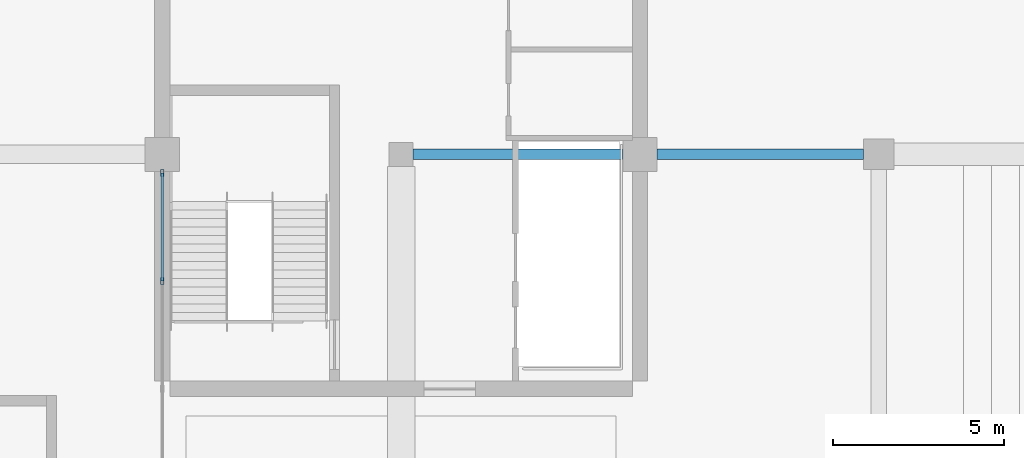
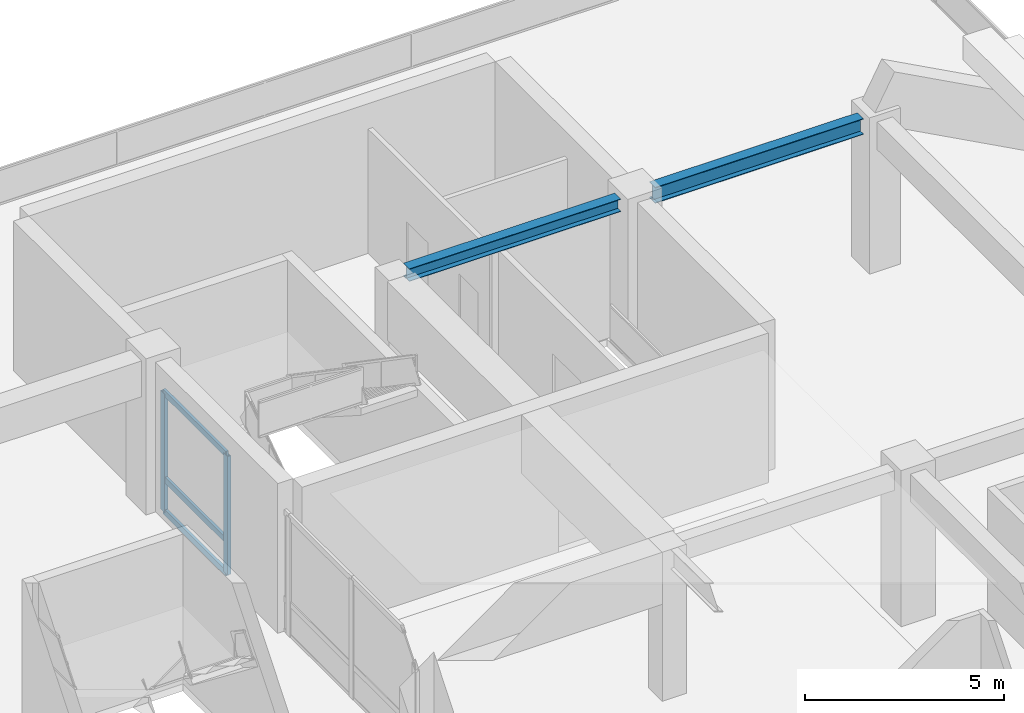
# One storey, part 43 of 94: 5 members, 2 beams, 1 element without a shape of its own.
"""IFC4 building model written with IfcOpenShell, lengths in metres."""

import ifcopenshell
import ifcopenshell.guid

model = None  # the IFC model being written
_history = None  # IfcOwnerHistory: only IFC2X3 demands one
_inside = {}  # id of a spatial element -> (the spatial element, [elements in it])
_under = {}  # id of a project, library or spatial element -> (it, [spatial elements below it])
_declared = {}  # id of a project -> (the project, [libraries it declares])
_typed = {}  # id of a type object -> (the type object, [elements of that type])
_made_of = {}  # id of a material, layer set ... -> (it, [elements and type objects made of it])


def new_model(schema):
    """Start an empty IFC model of exactly this schema.

    Asked for "IFC4X3", IfcOpenShell would pick the latest addendum, in which some entities
    have other attributes; the version numbers below select the first issue.
    IFC2X3 requires an IfcOwnerHistory on every rooted entity: one is made here for all.
    """
    global model, _history
    if schema == "IFC4X3":
        model = ifcopenshell.file(schema_version=(4, 3, 0, 0))
    else:
        model = ifcopenshell.file(schema=schema)
    _inside.clear()
    _under.clear()
    _declared.clear()
    _typed.clear()
    _made_of.clear()
    _history = None
    if model.schema == "IFC2X3":
        org = make("IfcOrganization", Name="unknown")
        user = make(
            "IfcPersonAndOrganization",
            ThePerson=make("IfcPerson", FamilyName="unknown"),
            TheOrganization=org,
        )
        app = make(
            "IfcApplication",
            ApplicationDeveloper=org,
            Version="unknown",
            ApplicationFullName="unknown",
            ApplicationIdentifier="unknown",
        )
        _history = make(
            "IfcOwnerHistory",
            OwningUser=user,
            OwningApplication=app,
            ChangeAction="ADDED",
            CreationDate=0,
        )
    return model


def make(cls, **values):
    """One entity of the class cls with the attributes given. An attribute that is None is left unset."""
    return model.create_entity(
        cls, **{name: value for name, value in values.items() if value is not None}
    )


def rooted(cls, **values):
    """An entity with a GlobalId (a new one), such as an element, a storey or a relation."""
    return make(cls, GlobalId=ifcopenshell.guid.new(), OwnerHistory=_history, **values)


def si_unit(unit_type, name, prefix=None):
    """IfcSIUnit, for example si_unit("LENGTHUNIT", "METRE", prefix="MILLI")."""
    return make("IfcSIUnit", UnitType=unit_type, Prefix=prefix, Name=name)


def assignment(units):
    """IfcUnitAssignment: the units of a project."""
    return None if units is None else make("IfcUnitAssignment", Units=units)


def point(xyz):
    """IfcCartesianPoint."""
    return None if xyz is None else make("IfcCartesianPoint", Coordinates=xyz)


def direction(xyz):
    """IfcDirection."""
    return None if xyz is None else make("IfcDirection", DirectionRatios=xyz)


def frame(location, z_axis=None, x_axis=None):
    """IfcAxis2Placement3D, a coordinate frame: its origin and axes. An axis left out is left unset."""
    return make(
        "IfcAxis2Placement3D",
        Location=point(location),
        Axis=direction(z_axis),
        RefDirection=direction(x_axis),
    )


def frame_2d(location, x_axis=None):
    """IfcAxis2Placement2D, a coordinate frame in the plane: its origin and x axis."""
    return make(
        "IfcAxis2Placement2D", Location=point(location), RefDirection=direction(x_axis)
    )


def origin():
    """The frame at (0, 0, 0) with its axes left unset."""
    return frame((0.0, 0.0, 0.0))


def origin_2d():
    """The frame at (0, 0) in the plane with its x axis left unset."""
    return frame_2d((0.0, 0.0))


def place(relative_to, where):
    """IfcLocalPlacement: puts the frame where relative to a parent placement (None: the world)."""
    return make(
        "IfcLocalPlacement", PlacementRelTo=relative_to, RelativePlacement=where
    )


def context(
    kind, dimensions, precision=None, world=None, true_north=None, identifier=None
):
    """IfcGeometricRepresentationContext, for example the 3D "Model" context."""
    return make(
        "IfcGeometricRepresentationContext",
        ContextIdentifier=identifier,
        ContextType=kind,
        CoordinateSpaceDimension=dimensions,
        Precision=precision,
        WorldCoordinateSystem=world,
        TrueNorth=true_north,
    )


def subcontext(parent, identifier, kind, view, scale=None):
    """IfcGeometricRepresentationSubContext, for example "Body" below "Model"."""
    return make(
        "IfcGeometricRepresentationSubContext",
        ContextIdentifier=identifier,
        ContextType=kind,
        ParentContext=parent,
        TargetScale=scale,
        TargetView=view,
    )


def project(units=None, contexts=None):
    """IfcProject with its units and contexts."""
    return rooted(
        "IfcProject",
        Name="project",
        RepresentationContexts=contexts,
        UnitsInContext=assignment(units),
    )


def spatial(cls, under=None, at=None, **own):
    """A site, building, storey or space (cls), placed at a placement, below another one or the project."""
    s = rooted(cls, ObjectPlacement=at, **own)
    if under is not None:
        _under.setdefault(under.id(), (under, []))[1].append(s)
    return s


def profile(cls, at=None, kind="AREA", **sizes):
    """A parametric profile (cls). Its sizes go by their IFC names, for example OverallWidth=200.0."""
    return make(cls, ProfileType=kind, Position=at, **sizes)


def hollow_rectangle(**sizes):
    """IfcRectangleHollowProfileDef."""
    return profile("IfcRectangleHollowProfileDef", **sizes)


def i_section(**sizes):
    """IfcIShapeProfileDef."""
    return profile("IfcIShapeProfileDef", **sizes)


def extrude(swept, where, along, depth):
    """IfcExtrudedAreaSolid: the profile swept, set in the frame where, extruded along a direction by depth."""
    return make(
        "IfcExtrudedAreaSolid",
        SweptArea=swept,
        Position=where,
        ExtrudedDirection=direction(along),
        Depth=depth,
    )


def shape(context_of_items, identifier, shape_type, items):
    """IfcShapeRepresentation: the items that make up one representation, for example the "Body"."""
    return make(
        "IfcShapeRepresentation",
        ContextOfItems=context_of_items,
        RepresentationIdentifier=identifier,
        RepresentationType=shape_type,
        Items=items,
    )


def material(Name=None, Category=None):
    """IfcMaterial."""
    return make("IfcMaterial", Name=Name, Category=Category)


def material_profile(
    of_material, cross_section, Name=None, Category=None, Priority=None
):
    """IfcMaterialProfile: a cross section and its material."""
    return make(
        "IfcMaterialProfile",
        Name=Name,
        Material=of_material,
        Profile=cross_section,
        Priority=Priority,
        Category=Category,
    )


def profile_set(profiles, Name=None, composite=None):
    """IfcMaterialProfileSet."""
    return make(
        "IfcMaterialProfileSet",
        Name=Name,
        MaterialProfiles=profiles,
        CompositeProfile=composite,
    )


def made_of(thing, what):
    """Note that an element or type object is made of a material, layer set ...; save() writes the relation."""
    if what is not None:
        _made_of.setdefault(what.id(), (what, []))[1].append(thing)
    return thing


def type_object(cls, material=None, **own):
    """A type object (cls), such as IfcWallType, which elements share."""
    return made_of(rooted(cls, **own), material)


def element(
    cls,
    number,
    at=None,
    inside=None,
    cuts=None,
    type_object=None,
    material=None,
    context=None,
    identifier="Body",
    shape_type=None,
    held_by="IfcProductDefinitionShape",
    body=None,
    shapes=None,
    **own,
):
    """One element of the class cls, such as IfcWall. Its Tag is "e" and its number.

    at: its placement. inside: the storey or other place that contains it. cuts: it is an
    opening in that element (IfcRelVoidsElement). A single representation is given by context,
    identifier, shape_type and body (its items); several are given by shapes. held_by: the class
    of the entity that holds the representations. save() writes the other relations.
    """
    e = rooted(cls, Tag="e%d" % number, ObjectPlacement=at, **own)
    if body is not None:
        shapes = [shape(context, identifier, shape_type, body)]
    if shapes is not None:
        e.Representation = make(held_by, Representations=shapes)
    if inside is not None:
        _inside.setdefault(inside.id(), (inside, []))[1].append(e)
    if cuts is not None:
        rooted(
            "IfcRelVoidsElement", RelatingBuildingElement=cuts, RelatedOpeningElement=e
        )
    if type_object is not None:
        _typed.setdefault(type_object.id(), (type_object, []))[1].append(e)
    return made_of(e, material)


def aggregate(whole, parts):
    """IfcRelAggregates: a whole, such as a stair, and the parts it consists of."""
    return rooted("IfcRelAggregates", RelatingObject=whole, RelatedObjects=parts)


def save(model, path):
    """Write the relations noted so far, then the file.

    IfcRelAggregates (storeys below a building ...), IfcRelContainedInSpatialStructure (elements
    in a storey), IfcRelDefinesByType, IfcRelAssociatesMaterial and IfcRelDeclares: one each for
    every whole, place, type object, material and project.
    """
    for whole, parts in _under.values():
        aggregate(whole, parts)
    for where, things in _inside.values():
        rooted(
            "IfcRelContainedInSpatialStructure",
            RelatedElements=things,
            RelatingStructure=where,
        )
    for kind, things in _typed.values():
        rooted("IfcRelDefinesByType", RelatedObjects=things, RelatingType=kind)
    for what, things in _made_of.values():
        rooted("IfcRelAssociatesMaterial", RelatedObjects=things, RelatingMaterial=what)
    for by, libraries in _declared.values():
        rooted("IfcRelDeclares", RelatingContext=by, RelatedDefinitions=libraries)
    model.write(path)


model = new_model("IFC4")

# Units and contexts
model_context = context("Model", 3, precision=1e-05, world=origin(), true_north=direction((0.0, 1.0)))
body_context = subcontext(model_context, "Body", "Model", "MODEL_VIEW")
ifc_project = project(units=[si_unit("LENGTHUNIT", "METRE"), si_unit("AREAUNIT", "SQUARE_METRE"), si_unit("VOLUMEUNIT", "CUBIC_METRE"), si_unit("PLANEANGLEUNIT", "RADIAN"), si_unit("MASSUNIT", "GRAM", prefix="KILO")], contexts=[model_context])

# Site, building, storey
site_placement = place(None, origin())
site = spatial("IfcSite", under=ifc_project, at=site_placement, CompositionType="ELEMENT")
building_placement = place(site_placement, origin())
building = spatial("IfcBuilding", under=site, at=building_placement, Name="Linyun Crest Stadium", CompositionType="ELEMENT")
storey_placement = place(building_placement, frame((0.0, 0.0, 16.199951171875)))
storey = spatial("IfcBuildingStorey", under=building, at=storey_placement, Name="L04", CompositionType="ELEMENT", Elevation=16.199951171875)

# Beams
ifc_material_1 = material(Name="Steel Q355C", Category="steel")
ifc_material_profile_1 = material_profile(ifc_material_1, i_section(OverallWidth=0.300048828125, OverallDepth=0.389892578125, WebThickness=0.010009765625, FlangeThickness=0.01611328125, at=origin_2d()), Name="HM 390x300")
ifc_profile_set_1 = profile_set([ifc_material_profile_1], Name="Steel Q355C")
beam_type_1 = type_object("IfcBeamType", Name="B06", PredefinedType="BEAM", material=ifc_profile_set_1)
beam_1_placement = place(storey_placement, frame((-76.64990234375, 43.375, 4.405029296875), z_axis=(1.0, 0.0, 0.0), x_axis=(0.0, 1.0, 0.0)))
element("IfcBeam", 1, at=beam_1_placement, inside=storey, type_object=beam_type_1, Name="Frame beam B06 L04 318", PredefinedType="BEAM", context=body_context, shape_type="SweptSolid", body=[
    extrude(i_section(OverallWidth=0.300048828125, OverallDepth=0.389892578125, WebThickness=0.010009765625, FlangeThickness=0.01611328125, at=origin_2d()), origin(), (0.0, 0.0, 1.0), 6.14990234375),
])
ifc_material_2 = material(Name="Steel Q355C", Category="steel")
ifc_material_profile_2 = material_profile(ifc_material_2, i_section(OverallWidth=0.300048828125, OverallDepth=0.488037109375, WebThickness=0.010986328125, FlangeThickness=0.01806640625, at=origin_2d()), Name="HM 488x300")
ifc_profile_set_2 = profile_set([ifc_material_profile_2], Name="Steel Q355C")
beam_type_2 = type_object("IfcBeamType", Name="B08", PredefinedType="BEAM", material=ifc_profile_set_2)
beam_2_placement = place(storey_placement, frame((-69.5, 43.375, 4.35595703125), z_axis=(1.0, 0.0, 0.0), x_axis=(0.0, 1.0, 0.0)))
element("IfcBeam", 2, at=beam_2_placement, inside=storey, type_object=beam_type_2, Name="Frame beam B08 L04 319", PredefinedType="BEAM", context=body_context, shape_type="SweptSolid", body=[
    extrude(i_section(OverallWidth=0.300048828125, OverallDepth=0.488037109375, WebThickness=0.010986328125, FlangeThickness=0.01806640625, at=origin_2d()), origin(), (0.0, 0.0, 1.0), 6.050048828125),
])

# Curtain wall, members
ifc_material_3 = material(Name="Verdigris steel and low-E curtain wall assembly", Category="steel")
curtain_wall_type = type_object("IfcCurtainWallType", Name="MCW06", PredefinedType="NOTDEFINED", material=ifc_material_3)
curtain_wall_placement = place(storey_placement, origin())
curtain_wall = element("IfcCurtainWall", 3, at=curtain_wall_placement, inside=storey, type_object=curtain_wall_type, Name="CWR-120", PredefinedType="NOTDEFINED")
ifc_material_4 = material(Name="Verdigris painted steel Q355C mullion", Category="steel")
ifc_material_profile_3 = material_profile(ifc_material_4, hollow_rectangle(XDim=0.10009765625, YDim=0.199951171875, WallThickness=0.008056640625, at=origin_2d()), Name="RHS 200x100x8")
ifc_profile_set_3 = profile_set([ifc_material_profile_3], Name="Verdigris painted steel Q355C mullion")
member_type_1 = type_object("IfcMemberType", Name="ML03", PredefinedType="MULLION", material=ifc_profile_set_3)
member_1_placement = place(storey_placement, frame((-84.0, 39.662109375, 0.0), z_axis=(0.0, 0.0, 1.0), x_axis=(-1.0, 0.0, 0.0)))
member_1 = element("IfcMember", 4, at=member_1_placement, type_object=member_type_1, Name="CWR-120 mullion 4", PredefinedType="MULLION", context=body_context, shape_type="SweptSolid", body=[
    extrude(hollow_rectangle(XDim=0.10009765625, YDim=0.199951171875, WallThickness=0.008056640625, at=origin_2d()), origin(), (0.0, 0.0, 1.0), 3.650146484375),
])
member_2_placement = place(storey_placement, frame((-84.0, 42.824951171875, 0.0), z_axis=(0.0, 0.0, 1.0), x_axis=(-1.0, 0.0, 0.0)))
member_2 = element("IfcMember", 5, at=member_2_placement, type_object=member_type_1, Name="CWR-120 mullion 5", PredefinedType="MULLION", context=body_context, shape_type="SweptSolid", body=[
    extrude(hollow_rectangle(XDim=0.10009765625, YDim=0.199951171875, WallThickness=0.008056640625, at=origin_2d()), origin(), (0.0, 0.0, 1.0), 3.650146484375),
])
ifc_material_5 = material(Name="Verdigris painted steel Q355B transom", Category="steel")
ifc_material_profile_4 = material_profile(ifc_material_5, hollow_rectangle(XDim=0.080078125, YDim=0.179931640625, WallThickness=0.006103515625, at=origin_2d()), Name="RHS 180x80x6")
ifc_profile_set_4 = profile_set([ifc_material_profile_4], Name="Verdigris painted steel Q355B transom")
member_type_2 = type_object("IfcMemberType", Name="TR02", PredefinedType="USERDEFINED", material=ifc_profile_set_4)
member_3_placement = place(storey_placement, frame((-84.0, 39.662109375, 0.0), z_axis=(0.0, 1.0, 0.0), x_axis=(-1.0, 0.0, 0.0)))
member_3 = element("IfcMember", 6, at=member_3_placement, type_object=member_type_2, Name="CWR-120 transom 4.1", ObjectType="TRANSOM", PredefinedType="USERDEFINED", context=body_context, shape_type="SweptSolid", body=[
    extrude(hollow_rectangle(XDim=0.080078125, YDim=0.179931640625, WallThickness=0.006103515625, at=origin_2d()), origin(), (0.0, 0.0, 1.0), 3.162841796875),
])
member_4_placement = place(storey_placement, frame((-84.0, 39.662109375, 1.0), z_axis=(0.0, 1.0, 0.0), x_axis=(-1.0, 0.0, 0.0)))
member_4 = element("IfcMember", 7, at=member_4_placement, type_object=member_type_2, Name="CWR-120 transom 4.2", ObjectType="TRANSOM", PredefinedType="USERDEFINED", context=body_context, shape_type="SweptSolid", body=[
    extrude(hollow_rectangle(XDim=0.080078125, YDim=0.179931640625, WallThickness=0.006103515625, at=origin_2d()), origin(), (0.0, 0.0, 1.0), 3.162841796875),
])
member_5_placement = place(storey_placement, frame((-84.0, 39.662109375, 3.650146484375), z_axis=(0.0, 1.0, 0.0), x_axis=(-1.0, 0.0, 0.0)))
member_5 = element("IfcMember", 8, at=member_5_placement, type_object=member_type_2, Name="CWR-120 transom 4.3", ObjectType="TRANSOM", PredefinedType="USERDEFINED", context=body_context, shape_type="SweptSolid", body=[
    extrude(hollow_rectangle(XDim=0.080078125, YDim=0.179931640625, WallThickness=0.006103515625, at=origin_2d()), origin(), (0.0, 0.0, 1.0), 3.162841796875),
])
aggregate(curtain_wall, [member_1, member_2, member_3, member_4, member_5])

save(model, "model.ifc")
